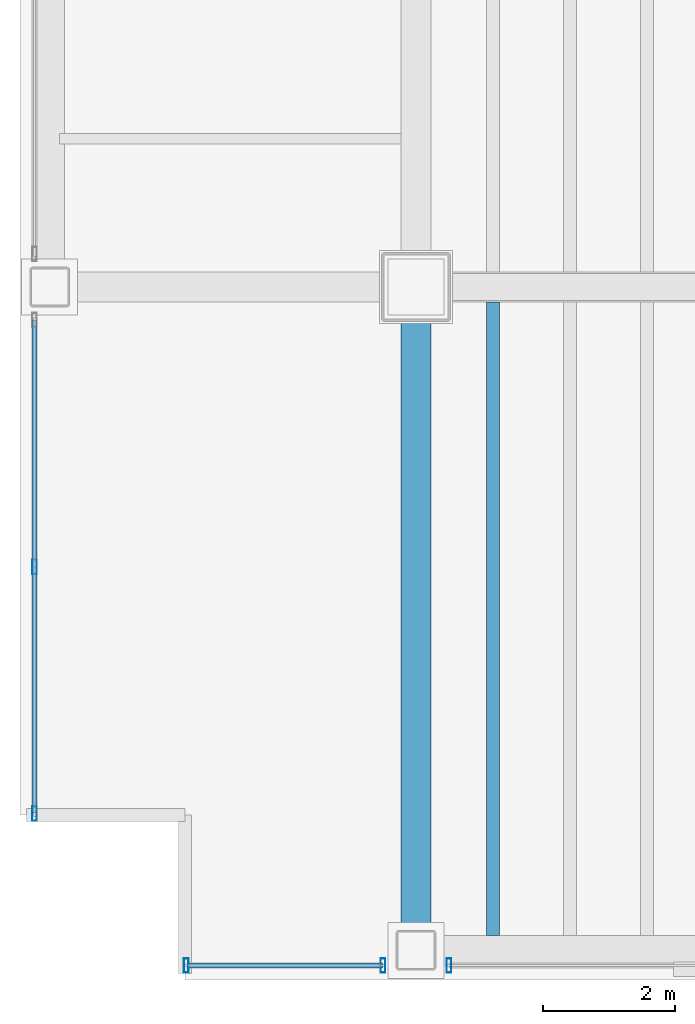
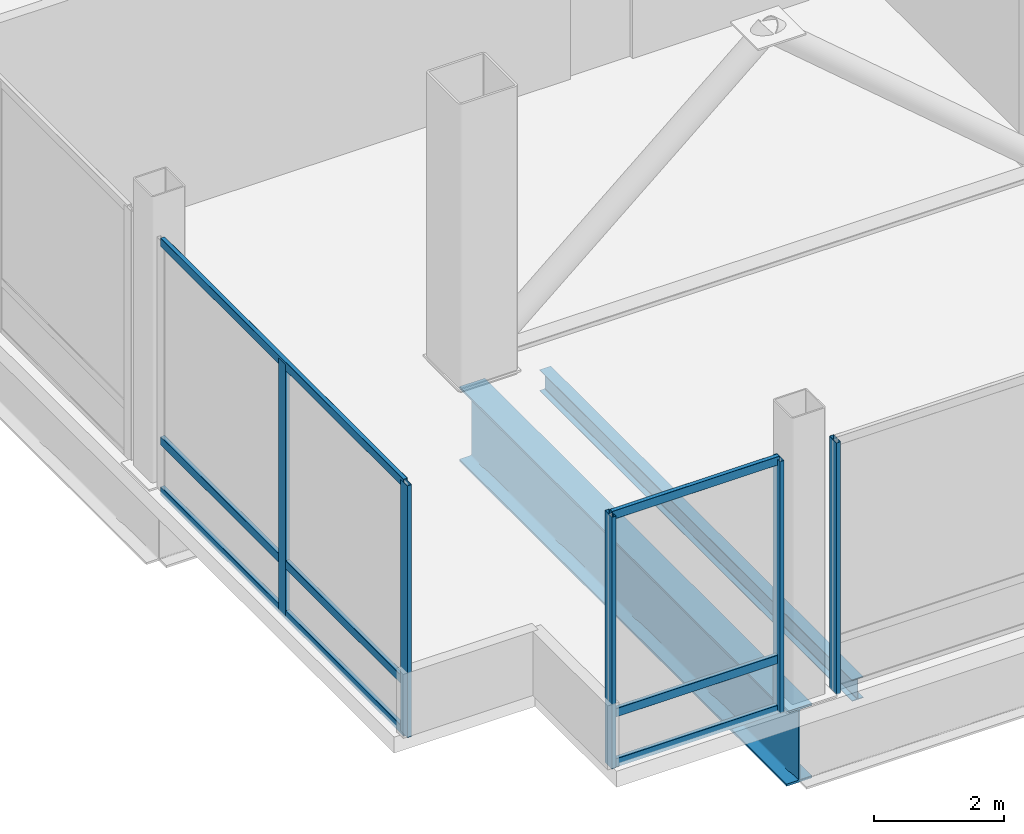
# One storey, part 2 of 20: 11 members, 2 beams, 3 elements without a shape of their own.
"""IFC4 building model written with IfcOpenShell, lengths in metres."""

from ifc_helpers import new_model, si_unit, direction, frame, origin, origin_2d, place, context, subcontext, project, spatial, hollow_rectangle, i_section, extrude, material, material_profile, profile_set, type_object, element, aggregate, save


model = new_model("IFC4")

# Units and contexts
model_context = context("Model", 3, precision=1e-05, world=origin(), true_north=direction((0.0, 1.0)))
body_context = subcontext(model_context, "Body", "Model", "MODEL_VIEW")
ifc_project = project(units=[si_unit("LENGTHUNIT", "METRE"), si_unit("AREAUNIT", "SQUARE_METRE"), si_unit("VOLUMEUNIT", "CUBIC_METRE"), si_unit("PLANEANGLEUNIT", "RADIAN"), si_unit("MASSUNIT", "GRAM", prefix="KILO")], contexts=[model_context])

# Site, building, storey
site_placement = place(None, origin())
site = spatial("IfcSite", under=ifc_project, at=site_placement, CompositionType="ELEMENT")
building_placement = place(site_placement, origin())
building = spatial("IfcBuilding", under=site, at=building_placement, Name="Noeulbin Bourse Tower", CompositionType="ELEMENT")
storey_placement = place(building_placement, frame((0.0, 0.0, 100.60009765625)))
storey = spatial("IfcBuildingStorey", under=building, at=storey_placement, Name="L25", CompositionType="ELEMENT", Elevation=100.60009765625)

# Beams
ifc_material_1 = material(Name="Steel S355", Category="steel")
ifc_material_profile_1 = material_profile(ifc_material_1, i_section(OverallWidth=0.199951171875, OverallDepth=0.39990234375, WebThickness=0.008056640625, FlangeThickness=0.012939453125, FilletRadius=0.01611328125, at=origin_2d()), Name="H-400x200x8x13", Category="LoadBearing")
ifc_profile_set_1 = profile_set([ifc_material_profile_1], Name="Steel S355")
beam_type_1 = type_object("IfcBeamType", Name="BM-SEC-400", PredefinedType="BEAM", material=ifc_profile_set_1)
beam_1_placement = place(storey_placement, frame((14.666748046875, 10.175048828125, -0.5), z_axis=(0.0, 1.0, 0.0), x_axis=(-1.0, 0.0, 0.0)))
element("IfcBeam", 1, at=beam_1_placement, inside=storey, type_object=beam_type_1, Name="Tower Composite Joist L25-01", PredefinedType="BEAM", context=body_context, shape_type="SweptSolid", body=[
    extrude(i_section(OverallWidth=0.199951171875, OverallDepth=0.39990234375, WebThickness=0.008056640625, FlangeThickness=0.012939453125, FilletRadius=0.01611328125, at=origin_2d()), origin(), (0.0, 0.0, 1.0), 9.599853515625),
])
ifc_material_2 = material(Name="Steel S460", Category="steel")
ifc_material_profile_2 = material_profile(ifc_material_2, i_section(OverallWidth=0.449951171875, OverallDepth=1.39990234375, WebThickness=0.02392578125, FlangeThickness=0.0400390625, FilletRadius=0.02392578125, at=origin_2d()), Name="PG-1400x450x24x40", Category="LoadBearing")
ifc_profile_set_2 = profile_set([ifc_material_profile_2], Name="Steel S460")
beam_type_2 = type_object("IfcBeamType", Name="BM-TRF-1400", PredefinedType="USERDEFINED", material=ifc_profile_set_2)
beam_2_placement = place(storey_placement, frame((13.5, 9.949951171875, -1.0), z_axis=(0.0, 1.0, 0.0), x_axis=(-1.0, 0.0, 0.0)))
element("IfcBeam", 2, at=beam_2_placement, inside=storey, type_object=beam_type_2, Name="Tower Primary Girder NS L25-1.1", ObjectType="GIRDER", PredefinedType="USERDEFINED", context=body_context, shape_type="SweptSolid", body=[
    extrude(i_section(OverallWidth=0.449951171875, OverallDepth=1.39990234375, WebThickness=0.02392578125, FlangeThickness=0.0400390625, FilletRadius=0.02392578125, at=origin_2d()), origin(), (0.0, 0.0, 1.0), 10.050048828125),
])

# Curtain wall, members
ifc_material_3 = material(Name="Translucent Ceramic-Fritted Glass", Category="glass")
curtain_wall_type = type_object("IfcCurtainWallType", Name="CW-SYS-5", PredefinedType="NOTDEFINED", material=ifc_material_3)
curtain_wall_1_placement = place(storey_placement, origin())
curtain_wall_1 = element("IfcCurtainWall", 3, at=curtain_wall_1_placement, inside=storey, type_object=curtain_wall_type, Name="Unitised Curtain Wall CW-L25-S1-S1", PredefinedType="NOTDEFINED")
ifc_material_4 = material(Name="Anodised Aluminium 6063-T6", Category="aluminium")
ifc_material_profile_3 = material_profile(ifc_material_4, hollow_rectangle(XDim=0.074951171875, YDim=0.219970703125, WallThickness=0.0048828125, InnerFilletRadius=0.00244140625, OuterFilletRadius=0.0048828125, at=origin_2d()), Name="ALU-MULL-75x220x5", Category="LoadBearing")
ifc_profile_set_3 = profile_set([ifc_material_profile_3], Name="Anodised Aluminium 6063-T6")
member_type_1 = type_object("IfcMemberType", Name="CW-SYS-5-MUL", PredefinedType="MULLION", material=ifc_profile_set_3)
member_1_placement = place(storey_placement, frame((10.02001953125, 9.719970703125, -0.02001953125), z_axis=(0.0, 0.0, 1.0), x_axis=(1.0, 0.0, 0.0)))
member_1 = element("IfcMember", 4, at=member_1_placement, type_object=member_type_1, Name="Curtain Wall Mullion CW-L25-S1-S1-M00", PredefinedType="MULLION", context=body_context, shape_type="SweptSolid", body=[
    extrude(hollow_rectangle(XDim=0.074951171875, YDim=0.219970703125, WallThickness=0.0048828125, InnerFilletRadius=0.00244140625, OuterFilletRadius=0.0048828125, at=origin_2d()), origin(), (0.0, 0.0, 1.0), 4.719970703125),
])
member_2_placement = place(storey_placement, frame((13.0, 9.719970703125, -0.02001953125), z_axis=(0.0, 0.0, 1.0), x_axis=(1.0, 0.0, 0.0)))
member_2 = element("IfcMember", 5, at=member_2_placement, type_object=member_type_1, Name="Curtain Wall Mullion CW-L25-S1-S1-M01", PredefinedType="MULLION", context=body_context, shape_type="SweptSolid", body=[
    extrude(hollow_rectangle(XDim=0.074951171875, YDim=0.219970703125, WallThickness=0.0048828125, InnerFilletRadius=0.00244140625, OuterFilletRadius=0.0048828125, at=origin_2d()), origin(), (0.0, 0.0, 1.0), 4.719970703125),
])

# Curtain wall, member
curtain_wall_2_placement = place(storey_placement, origin())
curtain_wall_2 = element("IfcCurtainWall", 6, at=curtain_wall_2_placement, inside=storey, type_object=curtain_wall_type, Name="Unitised Curtain Wall CW-L25-S1-S2", PredefinedType="NOTDEFINED")
member_3_placement = place(storey_placement, frame((14.0, 9.719970703125, -0.02001953125), z_axis=(0.0, 0.0, 1.0), x_axis=(1.0, 0.0, 0.0)))
member_3 = element("IfcMember", 7, at=member_3_placement, type_object=member_type_1, Name="Curtain Wall Mullion CW-L25-S1-S2-M00", PredefinedType="MULLION", context=body_context, shape_type="SweptSolid", body=[
    extrude(hollow_rectangle(XDim=0.074951171875, YDim=0.219970703125, WallThickness=0.0048828125, InnerFilletRadius=0.00244140625, OuterFilletRadius=0.0048828125, at=origin_2d()), origin(), (0.0, 0.0, 1.0), 4.719970703125),
])
aggregate(curtain_wall_2, [member_3])

# Curtain wall, members
curtain_wall_3_placement = place(storey_placement, origin())
curtain_wall_3 = element("IfcCurtainWall", 8, at=curtain_wall_3_placement, inside=storey, type_object=curtain_wall_type, Name="Unitised Curtain Wall CW-L25-W-S1", PredefinedType="NOTDEFINED")
member_4_placement = place(storey_placement, frame((7.719970703125, 12.02001953125, -0.02001953125), z_axis=(0.0, 0.0, 1.0), x_axis=(1.0, 0.0, 0.0)))
member_4 = element("IfcMember", 9, at=member_4_placement, type_object=member_type_1, Name="Curtain Wall Mullion CW-L25-W-S1-M00", PredefinedType="MULLION", context=body_context, shape_type="SweptSolid", body=[
    extrude(hollow_rectangle(XDim=0.074951171875, YDim=0.219970703125, WallThickness=0.0048828125, InnerFilletRadius=0.00244140625, OuterFilletRadius=0.0048828125, at=origin_2d()), origin(), (0.0, 0.0, 1.0), 4.719970703125),
])
member_5_placement = place(storey_placement, frame((7.719970703125, 15.760009765625, -0.02001953125), z_axis=(0.0, 0.0, 1.0), x_axis=(1.0, 0.0, 0.0)))
member_5 = element("IfcMember", 10, at=member_5_placement, type_object=member_type_1, Name="Curtain Wall Mullion CW-L25-W-S1-M01", PredefinedType="MULLION", context=body_context, shape_type="SweptSolid", body=[
    extrude(hollow_rectangle(XDim=0.074951171875, YDim=0.219970703125, WallThickness=0.0048828125, InnerFilletRadius=0.00244140625, OuterFilletRadius=0.0048828125, at=origin_2d()), origin(), (0.0, 0.0, 1.0), 4.719970703125),
])

# Member
ifc_material_profile_4 = material_profile(ifc_material_4, hollow_rectangle(XDim=0.074951171875, YDim=0.159912109375, WallThickness=0.0048828125, InnerFilletRadius=0.00244140625, OuterFilletRadius=0.0048828125, at=origin_2d()), Name="ALU-TRAN-75x160x5", Category="LoadBearing")
ifc_profile_set_4 = profile_set([ifc_material_profile_4], Name="Anodised Aluminium 6063-T6")
member_type_2 = type_object("IfcMemberType", Name="CW-SYS-5-TRN", PredefinedType="USERDEFINED", material=ifc_profile_set_4)
member_6_placement = place(storey_placement, frame((10.030029296875, 9.719970703125, 0.010009765625), z_axis=(1.0, 0.0, 0.0), x_axis=(0.0, 1.0, 0.0)))
member_6 = element("IfcMember", 11, at=member_6_placement, type_object=member_type_2, Name="Curtain Wall Transom CW-L25-S1-S1-T00", ObjectType="TRANSOM", PredefinedType="USERDEFINED", context=body_context, shape_type="SweptSolid", body=[
    extrude(hollow_rectangle(XDim=0.074951171875, YDim=0.159912109375, WallThickness=0.0048828125, InnerFilletRadius=0.00244140625, OuterFilletRadius=0.0048828125, at=origin_2d()), origin(), (0.0, 0.0, 1.0), 2.9599609375),
])

member_7_placement = place(storey_placement, frame((10.030029296875, 9.719970703125, 0.949951171875), z_axis=(1.0, 0.0, 0.0), x_axis=(0.0, 1.0, 0.0)))
member_7 = element("IfcMember", 12, at=member_7_placement, type_object=member_type_2, Name="Curtain Wall Transom CW-L25-S1-S1-T01", ObjectType="TRANSOM", PredefinedType="USERDEFINED", context=body_context, shape_type="SweptSolid", body=[
    extrude(hollow_rectangle(XDim=0.074951171875, YDim=0.159912109375, WallThickness=0.0048828125, InnerFilletRadius=0.00244140625, OuterFilletRadius=0.0048828125, at=origin_2d()), origin(), (0.0, 0.0, 1.0), 2.9599609375),
])

member_8_placement = place(storey_placement, frame((10.030029296875, 9.719970703125, 4.669921875), z_axis=(1.0, 0.0, 0.0), x_axis=(0.0, 1.0, 0.0)))
member_8 = element("IfcMember", 13, at=member_8_placement, type_object=member_type_2, Name="Curtain Wall Transom CW-L25-S1-S1-T02", ObjectType="TRANSOM", PredefinedType="USERDEFINED", context=body_context, shape_type="SweptSolid", body=[
    extrude(hollow_rectangle(XDim=0.074951171875, YDim=0.159912109375, WallThickness=0.0048828125, InnerFilletRadius=0.00244140625, OuterFilletRadius=0.0048828125, at=origin_2d()), origin(), (0.0, 0.0, 1.0), 2.9599609375),
])

aggregate(curtain_wall_1, [member_1, member_2, member_6, member_7, member_8])

member_9_placement = place(storey_placement, frame((7.719970703125, 12.030029296875, 0.010009765625), z_axis=(0.0, 1.0, 0.0), x_axis=(-1.0, 0.0, 0.0)))
member_9 = element("IfcMember", 14, at=member_9_placement, type_object=member_type_2, Name="Curtain Wall Transom CW-L25-W-S1-T00", ObjectType="TRANSOM", PredefinedType="USERDEFINED", context=body_context, shape_type="SweptSolid", body=[
    extrude(hollow_rectangle(XDim=0.074951171875, YDim=0.159912109375, WallThickness=0.0048828125, InnerFilletRadius=0.00244140625, OuterFilletRadius=0.0048828125, at=origin_2d()), origin(), (0.0, 0.0, 1.0), 7.4599609375),
])

member_10_placement = place(storey_placement, frame((7.719970703125, 12.030029296875, 0.949951171875), z_axis=(0.0, 1.0, 0.0), x_axis=(-1.0, 0.0, 0.0)))
member_10 = element("IfcMember", 15, at=member_10_placement, type_object=member_type_2, Name="Curtain Wall Transom CW-L25-W-S1-T01", ObjectType="TRANSOM", PredefinedType="USERDEFINED", context=body_context, shape_type="SweptSolid", body=[
    extrude(hollow_rectangle(XDim=0.074951171875, YDim=0.159912109375, WallThickness=0.0048828125, InnerFilletRadius=0.00244140625, OuterFilletRadius=0.0048828125, at=origin_2d()), origin(), (0.0, 0.0, 1.0), 7.4599609375),
])

member_11_placement = place(storey_placement, frame((7.719970703125, 12.030029296875, 4.669921875), z_axis=(0.0, 1.0, 0.0), x_axis=(-1.0, 0.0, 0.0)))
member_11 = element("IfcMember", 16, at=member_11_placement, type_object=member_type_2, Name="Curtain Wall Transom CW-L25-W-S1-T02", ObjectType="TRANSOM", PredefinedType="USERDEFINED", context=body_context, shape_type="SweptSolid", body=[
    extrude(hollow_rectangle(XDim=0.074951171875, YDim=0.159912109375, WallThickness=0.0048828125, InnerFilletRadius=0.00244140625, OuterFilletRadius=0.0048828125, at=origin_2d()), origin(), (0.0, 0.0, 1.0), 7.4599609375),
])

aggregate(curtain_wall_3, [member_4, member_5, member_9, member_10, member_11])

save(model, "model.ifc")
